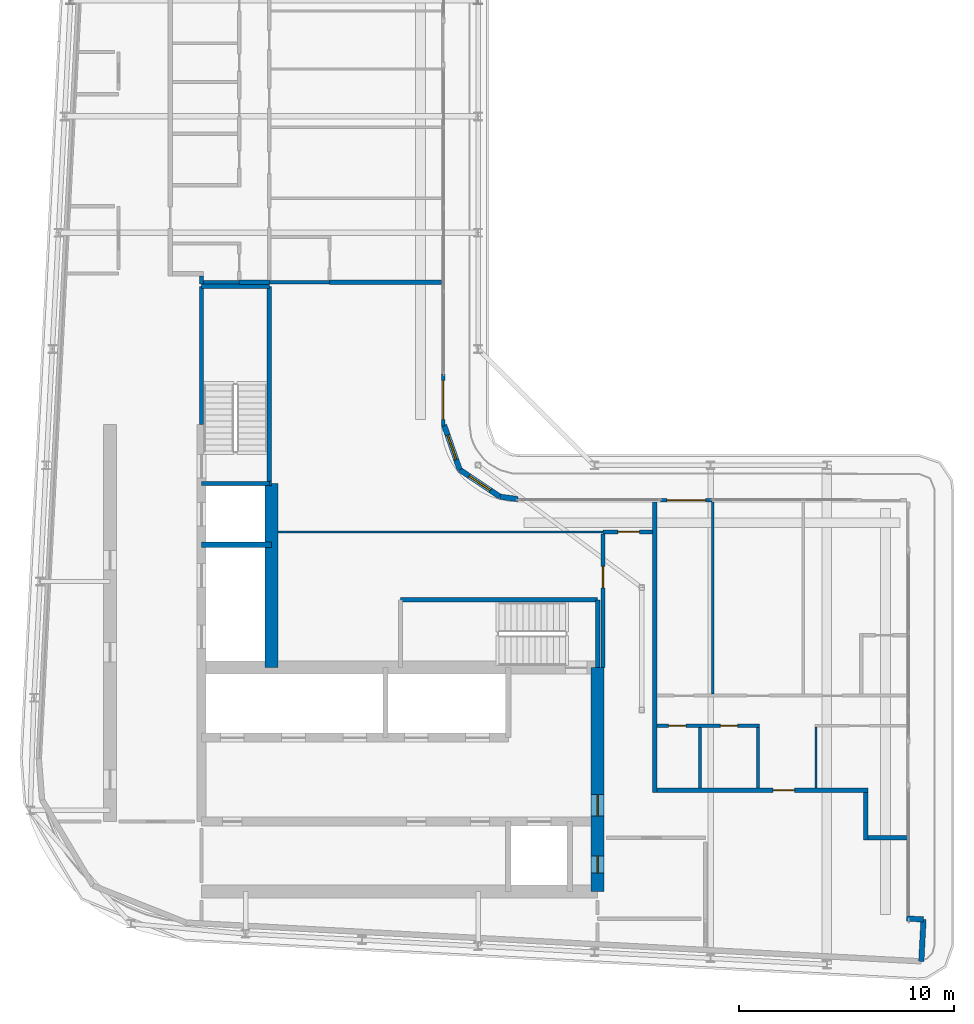
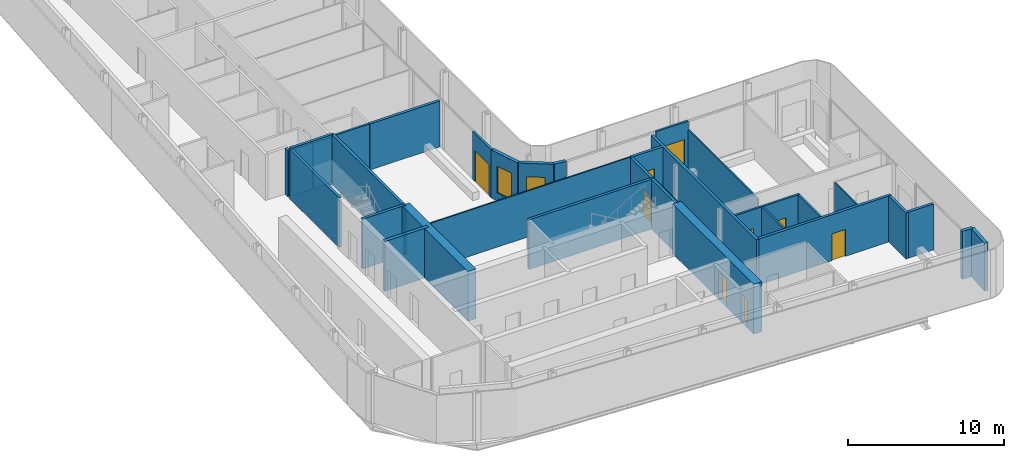
# One storey, part 12 of 21: 34 walls, 9 doors, 2 windows, 11 openings.
"""IFC4 building model written with IfcOpenShell, lengths in metres."""

from ifc_helpers import new_model, si_unit, direction, frame, frame_2d, origin, place, context, subcontext, project, spatial, rectangle, extrude, source, transform, mapped, material, layer, layer_set, type_object, element, fill, save


model = new_model("IFC4")

# Units and contexts
model_context = context("Model", 3, precision=1e-05, world=origin(), true_north=direction((0.0, 1.0)))
body_context = subcontext(model_context, "Body", "Model", "MODEL_VIEW")
ifc_project = project(units=[si_unit("LENGTHUNIT", "METRE"), si_unit("AREAUNIT", "SQUARE_METRE"), si_unit("VOLUMEUNIT", "CUBIC_METRE"), si_unit("PLANEANGLEUNIT", "RADIAN"), si_unit("MASSUNIT", "GRAM", prefix="KILO")], contexts=[model_context])

# Site, building, storey
site_placement = place(None, origin())
site = spatial("IfcSite", under=ifc_project, at=site_placement, CompositionType="ELEMENT")
building_placement = place(site_placement, origin())
building = spatial("IfcBuilding", under=site, at=building_placement, Name="Kheshtan School and Residences Tower", CompositionType="ELEMENT")
storey_placement = place(building_placement, frame((0.0, 0.0, 309.800048828125)))
storey = spatial("IfcBuildingStorey", under=building, at=storey_placement, Name="L73", CompositionType="ELEMENT", Elevation=309.800048828125)

# Wall
ifc_material_1 = material(Name="Concrete C60/75", Category="concrete")
ifc_layer_1 = layer(ifc_material_1, 0.60009765625)
ifc_layer_set_1 = layer_set([ifc_layer_1], Name="Core wall 600 Concrete C60/75")
wall_type_1 = type_object("IfcWallType", Name="Core wall 600 Concrete C60/75", PredefinedType="SHEAR", material=ifc_layer_set_1)
wall_1_placement = place(storey_placement, frame((38.0, 36.199951171875, 0.0), z_axis=(0.0, 0.0, 1.0), x_axis=(0.0, 1.0, 0.0)))
element("IfcWall", 1, at=wall_1_placement, inside=storey, type_object=wall_type_1, Name="Core wall CW-FRONT-W", PredefinedType="SHEAR", context=body_context, shape_type="SweptSolid", body=[
    extrude(rectangle(XDim=8.550048828125, YDim=0.60009765625, at=frame_2d((4.27490234375, 0.0))), origin(), (0.0, 0.0, 1.0), 3.89990234375),
])

# Wall, openings, doors
wall_2_placement = place(storey_placement, frame((53.14990234375, 25.800048828125, 0.0), z_axis=(0.0, 0.0, 1.0), x_axis=(0.0, 1.0, 0.0)))
wall_2 = element("IfcWall", 2, at=wall_2_placement, inside=storey, type_object=wall_type_1, Name="Core wall CW-EAST", PredefinedType="SHEAR", context=body_context, shape_type="SweptSolid", body=[
    extrude(rectangle(XDim=10.39990234375, YDim=0.60009765625, at=frame_2d((5.199951171875, 0.0))), origin(), (0.0, 0.0, 1.0), 3.89990234375),
])
opening_1_placement = place(wall_2_placement, frame((0.85009765625, 0.0, 0.0)))
opening_1 = element("IfcOpeningElement", 3, at=opening_1_placement, cuts=wall_2, Name="Opening SR80", PredefinedType="OPENING", context=body_context, shape_type="SweptSolid", body=[
    extrude(rectangle(XDim=0.800048828125, YDim=2.199951171875, at=frame_2d((0.39990234375, 1.10009765625))), frame((0.0, 0.31005859375, 0.0), z_axis=(0.0, -1.0, 0.0), x_axis=(1.0, 0.0, 0.0)), (0.0, 0.0, 1.0), 0.6201171875),
])
opening_2_placement = place(wall_2_placement, frame((3.5, 0.0, 0.0)))
opening_2 = element("IfcOpeningElement", 4, at=opening_2_placement, cuts=wall_2, Name="Opening SD91", PredefinedType="OPENING", context=body_context, shape_type="SweptSolid", body=[
    extrude(rectangle(XDim=1.0, YDim=2.199951171875, at=frame_2d((0.5, 1.10009765625))), frame((0.0, 0.31005859375, 0.0), z_axis=(0.0, -1.0, 0.0), x_axis=(1.0, 0.0, 0.0)), (0.0, 0.0, 1.0), 0.6201171875),
])
ifc_material_2 = material(Name="Steel door leaf, galvanised", Category="steel")
door_type_1 = type_object("IfcDoorType", Name="Service room door 800 steel 90 min", OperationType="SINGLE_SWING_LEFT", PredefinedType="DOOR", material=ifc_material_2)
shared_shape_1 = source(origin(), body_context, "Body", "SweptSolid", [
    extrude(rectangle(XDim=0.800048828125, YDim=2.199951171875, at=frame_2d((0.39990234375, 1.10009765625))), frame((0.0, 0.02490234375, 0.0), z_axis=(0.0, -1.0, 0.0), x_axis=(1.0, 0.0, 0.0)), (0.0, 0.0, 1.0), 0.050048828125),
])
door_1_placement = place(opening_1_placement, origin())
door_1 = element("IfcDoor", 5, at=door_1_placement, inside=storey, type_object=door_type_1, Name="Service room door", OperationType="SINGLE_SWING_LEFT", OverallHeight=2.199951171875, OverallWidth=0.800048828125, PredefinedType="DOOR", context=body_context, shape_type="MappedRepresentation", body=[
    mapped(shared_shape_1, transform((0.0, 0.0, 0.0), x_axis=(1.0, 0.0, 0.0), y_axis=(0.0, 1.0, 0.0), z_axis=(0.0, 0.0, 1.0), scale=1.0)),
])
fill(opening_1, door_1)
door_type_2 = type_object("IfcDoorType", Name="Firefighting lobby door 1000 steel 90 min", OperationType="SINGLE_SWING_LEFT", PredefinedType="DOOR", material=ifc_material_2)
shared_shape_2 = source(origin(), body_context, "Body", "SweptSolid", [
    extrude(rectangle(XDim=1.0, YDim=2.199951171875, at=frame_2d((0.5, 1.10009765625))), frame((0.0, 0.02490234375, 0.0), z_axis=(0.0, -1.0, 0.0), x_axis=(1.0, 0.0, 0.0)), (0.0, 0.0, 1.0), 0.050048828125),
])
door_2_placement = place(opening_2_placement, origin())
door_2 = element("IfcDoor", 6, at=door_2_placement, inside=storey, type_object=door_type_2, Name="Firefighting lobby door", OperationType="SINGLE_SWING_LEFT", OverallHeight=2.199951171875, OverallWidth=1.0, PredefinedType="DOOR", context=body_context, shape_type="MappedRepresentation", body=[
    mapped(shared_shape_2, transform((0.0, 0.0, 0.0), x_axis=(1.0, 0.0, 0.0), y_axis=(0.0, 1.0, 0.0), z_axis=(0.0, 0.0, 1.0), scale=1.0)),
])
fill(opening_2, door_2)

# Wall
ifc_material_3 = material(Name="Gypsum board on steel studs with fire boards", Category="steel")
ifc_layer_2 = layer(ifc_material_3, 0.199951171875)
ifc_layer_set_2 = layer_set([ifc_layer_2], Name="Corridor wall 200")
wall_type_2 = type_object("IfcWallType", Name="Corridor wall 200", PredefinedType="PARTITIONING", material=ifc_layer_set_2)
wall_3_placement = place(storey_placement, frame((34.75, 54.02490234375, 0.0), z_axis=(0.0, 0.0, 1.0), x_axis=(0.0, 1.0, 0.0)))
element("IfcWall", 7, at=wall_3_placement, inside=storey, type_object=wall_type_2, Name="Partition L73-018", PredefinedType="PARTITIONING", context=body_context, shape_type="SweptSolid", body=[
    extrude(rectangle(XDim=0.375, YDim=0.199951171875, at=frame_2d((0.1875, 0.0))), origin(), (0.0, 0.0, 1.0), 3.599853515625),
])

# Wall, opening, door
wall_4_placement = place(storey_placement, frame((53.39990234375, 36.198974609375, 0.0), z_axis=(0.0, 0.0, 1.0), x_axis=(0.0, 1.0, 0.0)))
wall_4 = element("IfcWall", 8, at=wall_4_placement, inside=storey, type_object=wall_type_2, Name="Partition L73-043", PredefinedType="PARTITIONING", context=body_context, shape_type="SweptSolid", body=[
    extrude(rectangle(XDim=6.200927734375, YDim=0.199951171875, at=frame_2d((3.1005859375, 0.0))), origin(), (0.0, 0.0, 1.0), 3.599853515625),
])
opening_3_placement = place(wall_4_placement, frame((3.70703125, 0.0, 0.0)))
opening_3 = element("IfcOpeningElement", 9, at=opening_3_placement, cuts=wall_4, Name="Opening D72-037", PredefinedType="OPENING", context=body_context, shape_type="SweptSolid", body=[
    extrude(rectangle(XDim=1.0, YDim=2.10009765625, at=frame_2d((0.5, 1.050048828125))), frame((0.0, 0.10986328125, 0.0), z_axis=(0.0, -1.0, 0.0), x_axis=(1.0, 0.0, 0.0)), (0.0, 0.0, 1.0), 0.219970703125),
])
ifc_material_4 = material(Name="Steel-framed fire-resisting door leaf", Category="steel")
door_type_3 = type_object("IfcDoorType", Name="Fire door FD60 1000 x 2100", OperationType="SINGLE_SWING_LEFT", PredefinedType="DOOR", material=ifc_material_4)
shared_shape_3 = source(origin(), body_context, "Body", "SweptSolid", [
    extrude(rectangle(XDim=1.0, YDim=2.10009765625, at=frame_2d((0.5, 1.050048828125))), frame((0.0, 0.02490234375, 0.0), z_axis=(0.0, -1.0, 0.0), x_axis=(1.0, 0.0, 0.0)), (0.0, 0.0, 1.0), 0.050048828125),
])
door_3_placement = place(opening_3_placement, origin())
door_3 = element("IfcDoor", 10, at=door_3_placement, inside=storey, type_object=door_type_3, Name="Door D72-037", OperationType="SINGLE_SWING_LEFT", OverallHeight=2.10009765625, OverallWidth=1.0, PredefinedType="DOOR", context=body_context, shape_type="MappedRepresentation", body=[
    mapped(shared_shape_3, transform((0.0, 0.0, 0.0), x_axis=(1.0, 0.0, 0.0), y_axis=(0.0, 1.0, 0.0), z_axis=(0.0, 0.0, 1.0), scale=1.0)),
])
fill(opening_3, door_3)

wall_5_placement = place(storey_placement, frame((53.39990234375, 42.5, 0.0), z_axis=(0.0, 0.0, 1.0), x_axis=(1.0, 0.0, 0.0)))
wall_5 = element("IfcWall", 11, at=wall_5_placement, inside=storey, type_object=wall_type_2, Name="Partition L73-044", PredefinedType="PARTITIONING", context=body_context, shape_type="SweptSolid", body=[
    extrude(rectangle(XDim=2.300048828125, YDim=0.199951171875, at=frame_2d((1.14990234375, 0.0))), origin(), (0.0, 0.0, 1.0), 3.599853515625),
])
opening_4_placement = place(wall_5_placement, frame((0.695068359375, 0.0, 0.0)))
opening_4 = element("IfcOpeningElement", 12, at=opening_4_placement, cuts=wall_5, Name="Opening D72-038", PredefinedType="OPENING", context=body_context, shape_type="SweptSolid", body=[
    extrude(rectangle(XDim=1.0, YDim=2.10009765625, at=frame_2d((0.5, 1.050048828125))), frame((0.0, 0.10986328125, 0.0), z_axis=(0.0, -1.0, 0.0), x_axis=(1.0, 0.0, 0.0)), (0.0, 0.0, 1.0), 0.219970703125),
])
door_4_placement = place(opening_4_placement, origin())
door_4 = element("IfcDoor", 13, at=door_4_placement, inside=storey, type_object=door_type_3, Name="Door D72-038", OperationType="SINGLE_SWING_RIGHT", OverallHeight=2.10009765625, OverallWidth=1.0, PredefinedType="DOOR", context=body_context, shape_type="MappedRepresentation", body=[
    mapped(shared_shape_3, transform((0.0, 0.0, 0.0), x_axis=(1.0, 0.0, 0.0), y_axis=(0.0, 1.0, 0.0), z_axis=(0.0, 0.0, 1.0), scale=1.0)),
])
fill(opening_4, door_4)

wall_6_placement = place(storey_placement, frame((55.89990234375, 30.5, 0.0), z_axis=(0.0, 0.0, 1.0), x_axis=(1.0, 0.0, 0.0)))
wall_6 = element("IfcWall", 14, at=wall_6_placement, inside=storey, type_object=wall_type_2, Name="Partition L73-046", PredefinedType="PARTITIONING", context=body_context, shape_type="SweptSolid", body=[
    extrude(rectangle(XDim=9.800048828125, YDim=0.199951171875, at=frame_2d((4.89990234375, 0.0))), origin(), (0.0, 0.0, 1.0), 3.599853515625),
])
opening_5_placement = place(wall_6_placement, frame((5.39990234375, 0.0, 0.0)))
opening_5 = element("IfcOpeningElement", 15, at=opening_5_placement, cuts=wall_6, Name="Opening D72-004", PredefinedType="OPENING", context=body_context, shape_type="SweptSolid", body=[
    extrude(rectangle(XDim=1.0, YDim=2.10009765625, at=frame_2d((0.5, 1.050048828125))), frame((0.0, 0.10986328125, 0.0), z_axis=(0.0, -1.0, 0.0), x_axis=(1.0, 0.0, 0.0)), (0.0, 0.0, 1.0), 0.219970703125),
])
door_type_4 = type_object("IfcDoorType", Name="Fire door FD30S 1000 x 2100", OperationType="SINGLE_SWING_LEFT", PredefinedType="DOOR", material=ifc_material_4)
shared_shape_4 = source(origin(), body_context, "Body", "SweptSolid", [
    extrude(rectangle(XDim=1.0, YDim=2.10009765625, at=frame_2d((0.5, 1.050048828125))), frame((0.0, 0.02490234375, 0.0), z_axis=(0.0, -1.0, 0.0), x_axis=(1.0, 0.0, 0.0)), (0.0, 0.0, 1.0), 0.050048828125),
])
door_5_placement = place(opening_5_placement, origin())
door_5 = element("IfcDoor", 16, at=door_5_placement, inside=storey, type_object=door_type_4, Name="Door D72-004", OperationType="SINGLE_SWING_LEFT", OverallHeight=2.10009765625, OverallWidth=1.0, PredefinedType="DOOR", context=body_context, shape_type="MappedRepresentation", body=[
    mapped(shared_shape_4, transform((0.0, 0.0, 0.0), x_axis=(1.0, 0.0, 0.0), y_axis=(0.0, 1.0, 0.0), z_axis=(0.0, 0.0, 1.0), scale=1.0)),
])
fill(opening_5, door_5)

# Walls
wall_7_placement = place(storey_placement, frame((65.60009765625, 28.199951171875, 0.0), z_axis=(0.0, 0.0, 1.0), x_axis=(0.0, 1.0, 0.0)))
element("IfcWall", 17, at=wall_7_placement, inside=storey, type_object=wall_type_2, Name="Partition L73-057", PredefinedType="PARTITIONING", context=body_context, shape_type="SweptSolid", body=[
    extrude(rectangle(XDim=2.199951171875, YDim=0.199951171875, at=frame_2d((1.10009765625, 0.0))), origin(), (0.0, 0.0, 1.0), 3.599853515625),
])
wall_8_placement = place(storey_placement, frame((65.699951171875, 28.300048828125, 0.0), z_axis=(0.0, 0.0, 1.0), x_axis=(1.0, 0.0, 0.0)))
element("IfcWall", 18, at=wall_8_placement, inside=storey, type_object=wall_type_2, Name="Partition L73-058", PredefinedType="PARTITIONING", context=body_context, shape_type="SweptSolid", body=[
    extrude(rectangle(XDim=1.8701171875, YDim=0.199951171875, at=frame_2d((0.93505859375, 0.0))), origin(), (0.0, 0.0, 1.0), 3.599853515625),
])

# Wall, opening, window
ifc_material_5 = material(Name="Concrete C40/50 with ceramic cladding and mineral wool insulation", Category="concrete")
ifc_layer_3 = layer(ifc_material_5, 0.25)
ifc_layer_set_3 = layer_set([ifc_layer_3], Name="External wall 250 ceramic clad")
wall_type_3 = type_object("IfcWallType", Name="External wall 250 ceramic clad", PredefinedType="SOLIDWALL", material=ifc_layer_set_3)
wall_9_placement = place(storey_placement, frame((46.01806640625, 47.470947265625, 0.0), z_axis=(0.0, 0.0, 1.0), x_axis=(0.328791208903, -0.944402637093, 0.0)))
wall_9 = element("IfcWall", 19, at=wall_9_placement, inside=storey, type_object=wall_type_3, Name="External wall L73 9", PredefinedType="SOLIDWALL", context=body_context, shape_type="SweptSolid", body=[
    extrude(rectangle(XDim=2.20458984375, YDim=0.25, at=frame_2d((1.102294921875, 0.0))), origin(), (0.0, 0.0, 1.0), 3.75),
])
opening_6_placement = place(wall_9_placement, frame((0.5029296875, 0.0, 0.60009765625)))
opening_6 = element("IfcOpeningElement", 20, at=opening_6_placement, cuts=wall_9, Name="Opening WN-E", PredefinedType="OPENING", context=body_context, shape_type="SweptSolid", body=[
    extrude(rectangle(XDim=1.199951171875, YDim=2.10009765625, at=frame_2d((0.60009765625, 1.050048828125))), frame((0.0, 0.135009765625, 0.0), z_axis=(0.0, -1.0, 0.0), x_axis=(1.0, 0.0, 0.0)), (0.0, 0.0, 1.0), 0.27001953125),
])
ifc_material_6 = material(Name="Clear low-e glass in thermally broken aluminium frame", Category="aluminium")
window_type = type_object("IfcWindowType", Name="Window WN-E", PartitioningType="SINGLE_PANEL", PredefinedType="WINDOW", material=ifc_material_6)
shared_shape_5 = source(origin(), body_context, "Body", "SweptSolid", [
    extrude(rectangle(XDim=1.199951171875, YDim=2.10009765625, at=frame_2d((0.60009765625, 1.050048828125))), frame((0.0, 0.030029296875, 0.0), z_axis=(0.0, -1.0, 0.0), x_axis=(1.0, 0.0, 0.0)), (0.0, 0.0, 1.0), 0.06005859375),
])
window_1_placement = place(opening_6_placement, origin())
window_1 = element("IfcWindow", 21, at=window_1_placement, inside=storey, type_object=window_type, Name="Window L73 9", OverallHeight=2.10009765625, OverallWidth=1.199951171875, PartitioningType="SINGLE_PANEL", PredefinedType="WINDOW", context=body_context, shape_type="MappedRepresentation", body=[
    mapped(shared_shape_5, transform((0.0, 0.0, 0.0), x_axis=(1.0, 0.0, 0.0), y_axis=(0.0, 1.0, 0.0), z_axis=(0.0, 0.0, 1.0), scale=1.0)),
])
fill(opening_6, window_1)

wall_10_placement = place(storey_placement, frame((46.742919921875, 45.388916015625, 0.0), z_axis=(0.0, 0.0, 1.0), x_axis=(0.831449265529, -0.555600682912, 0.0)))
wall_10 = element("IfcWall", 22, at=wall_10_placement, inside=storey, type_object=wall_type_3, Name="External wall L73 10", PredefinedType="SOLIDWALL", context=body_context, shape_type="SweptSolid", body=[
    extrude(rectangle(XDim=2.25146484375, YDim=0.25, at=frame_2d((1.125732421875, 0.0))), origin(), (0.0, 0.0, 1.0), 3.75),
])
opening_7_placement = place(wall_10_placement, frame((0.52490234375, 0.0, 0.60009765625)))
opening_7 = element("IfcOpeningElement", 23, at=opening_7_placement, cuts=wall_10, Name="Opening WN-E", PredefinedType="OPENING", context=body_context, shape_type="SweptSolid", body=[
    extrude(rectangle(XDim=1.199951171875, YDim=2.10009765625, at=frame_2d((0.60009765625, 1.050048828125))), frame((0.0, 0.135009765625, 0.0), z_axis=(0.0, -1.0, 0.0), x_axis=(1.0, 0.0, 0.0)), (0.0, 0.0, 1.0), 0.27001953125),
])
window_2_placement = place(opening_7_placement, origin())
window_2 = element("IfcWindow", 24, at=window_2_placement, inside=storey, type_object=window_type, Name="Window L73 10", OverallHeight=2.10009765625, OverallWidth=1.199951171875, PartitioningType="SINGLE_PANEL", PredefinedType="WINDOW", context=body_context, shape_type="MappedRepresentation", body=[
    mapped(shared_shape_5, transform((0.0, 0.0, 0.0), x_axis=(1.0, 0.0, 0.0), y_axis=(0.0, 1.0, 0.0), z_axis=(0.0, 0.0, 1.0), scale=1.0)),
])
fill(opening_7, window_2)

# Walls
wall_11_placement = place(storey_placement, frame((48.614990234375, 44.137939453125, 0.0), z_axis=(0.0, 0.0, 1.0), x_axis=(0.990741504246, -0.135761819977, 0.0)))
element("IfcWall", 25, at=wall_11_placement, inside=storey, type_object=wall_type_3, Name="External wall L73 11", PredefinedType="SOLIDWALL", context=body_context, shape_type="SweptSolid", body=[
    extrude(rectangle(XDim=0.83984375, YDim=0.25, at=frame_2d((0.419921875, 0.0))), origin(), (0.0, 0.0, 1.0), 3.75),
])
wall_12_placement = place(storey_placement, frame((67.507080078125, 24.5439453125, 0.0), z_axis=(0.0, 0.0, 1.0), x_axis=(0.998561284263, -0.053622398031, 0.0)))
element("IfcWall", 26, at=wall_12_placement, inside=storey, type_object=wall_type_3, Name="External wall L73 14", PredefinedType="SOLIDWALL", context=body_context, shape_type="SweptSolid", body=[
    extrude(rectangle(XDim=0.783203125, YDim=0.25, at=frame_2d((0.3916015625, 0.0))), origin(), (0.0, 0.0, 1.0), 3.75),
])
wall_13_placement = place(storey_placement, frame((68.2890625, 24.501953125, 0.0), z_axis=(0.0, 0.0, 1.0), x_axis=(-0.052841433274, -0.998602915542, 0.0)))
element("IfcWall", 27, at=wall_13_placement, inside=storey, type_object=wall_type_3, Name="External wall L73 15", PredefinedType="SOLIDWALL", context=body_context, shape_type="SweptSolid", body=[
    extrude(rectangle(XDim=1.94970703125, YDim=0.25, at=frame_2d((0.974853515625, 0.0))), origin(), (0.0, 0.0, 1.0), 3.75),
])

# Wall, opening, door
ifc_material_7 = material(Name="Aluminium frame wall with insulated infill", Category="aluminium")
ifc_layer_4 = layer(ifc_material_7, 0.14990234375)
ifc_layer_set_4 = layer_set([ifc_layer_4], Name="Glazing frame wall 150")
wall_type_4 = type_object("IfcWallType", Name="Glazing frame wall 150", PredefinedType="SOLIDWALL", material=ifc_layer_set_4)
wall_14_placement = place(storey_placement, frame((45.97509765625, 49.830078125, 0.0), z_axis=(0.0, 0.0, 1.0), x_axis=(0.0, -1.0, 0.0)))
wall_14 = element("IfcWall", 28, at=wall_14_placement, inside=storey, type_object=wall_type_4, Name="Balcony door wall L73 8.5", PredefinedType="SOLIDWALL", context=body_context, shape_type="SweptSolid", body=[
    extrude(rectangle(XDim=2.400146484375, YDim=0.14990234375, at=frame_2d((1.2001953125, 0.0))), origin(), (0.0, 0.0, 1.0), 3.75),
])
opening_8_placement = place(wall_14_placement, frame((0.300048828125, 0.0, 0.0)))
opening_8 = element("IfcOpeningElement", 29, at=opening_8_placement, cuts=wall_14, Name="Opening BD", PredefinedType="OPENING", context=body_context, shape_type="SweptSolid", body=[
    extrude(rectangle(XDim=1.800048828125, YDim=2.39990234375, at=frame_2d((0.89990234375, 1.199951171875))), frame((0.0, 0.0849609375, 0.0), z_axis=(0.0, -1.0, 0.0), x_axis=(1.0, 0.0, 0.0)), (0.0, 0.0, 1.0), 0.169921875),
])
door_type_5 = type_object("IfcDoorType", Name="Balcony sliding door", OperationType="SLIDING_TO_LEFT", PredefinedType="DOOR", material=ifc_material_6)
shared_shape_6 = source(origin(), body_context, "Body", "SweptSolid", [
    extrude(rectangle(XDim=1.800048828125, YDim=2.39990234375, at=frame_2d((0.89990234375, 1.199951171875))), frame((0.0, 0.02490234375, 0.0), z_axis=(0.0, -1.0, 0.0), x_axis=(1.0, 0.0, 0.0)), (0.0, 0.0, 1.0), 0.050048828125),
])
door_6_placement = place(opening_8_placement, origin())
door_6 = element("IfcDoor", 30, at=door_6_placement, inside=storey, type_object=door_type_5, Name="Balcony door L73 8.5", OperationType="SLIDING_TO_LEFT", OverallHeight=2.39990234375, OverallWidth=1.800048828125, PredefinedType="DOOR", context=body_context, shape_type="MappedRepresentation", body=[
    mapped(shared_shape_6, transform((0.0, 0.0, 0.0), x_axis=(1.0, 0.0, 0.0), y_axis=(0.0, 1.0, 0.0), z_axis=(0.0, 0.0, 1.0), scale=1.0)),
])
fill(opening_8, door_6)

wall_15_placement = place(storey_placement, frame((56.06494140625, 43.97509765625, 0.0), z_axis=(0.0, 0.0, 1.0), x_axis=(1.0, 0.0, 0.0)))
wall_15 = element("IfcWall", 31, at=wall_15_placement, inside=storey, type_object=wall_type_4, Name="Balcony door wall L73 12.1", PredefinedType="SOLIDWALL", context=body_context, shape_type="SweptSolid", body=[
    extrude(rectangle(XDim=2.400146484375, YDim=0.14990234375, at=frame_2d((1.2001953125, 0.0))), origin(), (0.0, 0.0, 1.0), 3.75),
])
opening_9_placement = place(wall_15_placement, frame((0.300048828125, 0.0, 0.0)))
opening_9 = element("IfcOpeningElement", 32, at=opening_9_placement, cuts=wall_15, Name="Opening BD", PredefinedType="OPENING", context=body_context, shape_type="SweptSolid", body=[
    extrude(rectangle(XDim=1.800048828125, YDim=2.39990234375, at=frame_2d((0.89990234375, 1.199951171875))), frame((0.0, 0.0849609375, 0.0), z_axis=(0.0, -1.0, 0.0), x_axis=(1.0, 0.0, 0.0)), (0.0, 0.0, 1.0), 0.169921875),
])
door_7_placement = place(opening_9_placement, origin())
door_7 = element("IfcDoor", 33, at=door_7_placement, inside=storey, type_object=door_type_5, Name="Balcony door L73 12.1", OperationType="SLIDING_TO_LEFT", OverallHeight=2.39990234375, OverallWidth=1.800048828125, PredefinedType="DOOR", context=body_context, shape_type="MappedRepresentation", body=[
    mapped(shared_shape_6, transform((0.0, 0.0, 0.0), x_axis=(1.0, 0.0, 0.0), y_axis=(0.0, 1.0, 0.0), z_axis=(0.0, 0.0, 1.0), scale=1.0)),
])
fill(opening_9, door_7)

# Walls
ifc_material_8 = material(Name="Gypsum board on steel studs", Category="steel")
ifc_layer_5 = layer(ifc_material_8, 0.10009765625)
ifc_layer_set_5 = layer_set([ifc_layer_5], Name="Gypsum partition 100")
wall_type_5 = type_object("IfcWallType", Name="Gypsum partition 100", PredefinedType="PARTITIONING", material=ifc_layer_set_5)
wall_16_placement = place(storey_placement, frame((38.299072265625, 42.5, 0.0), z_axis=(0.0, 0.0, 1.0), x_axis=(1.0, 0.0, 0.0)))
element("IfcWall", 34, at=wall_16_placement, inside=storey, type_object=wall_type_5, Name="Partition L73-040", PredefinedType="PARTITIONING", context=body_context, shape_type="SweptSolid", body=[
    extrude(rectangle(XDim=15.100830078125, YDim=0.10009765625, at=frame_2d((7.55029296875, 0.0))), origin(), (0.0, 0.0, 1.0), 3.599853515625),
])
wall_17_placement = place(storey_placement, frame((58.5, 34.97509765625, 0.0), z_axis=(0.0, 0.0, 1.0), x_axis=(0.0, 1.0, 0.0)))
element("IfcWall", 35, at=wall_17_placement, inside=storey, type_object=wall_type_5, Name="Partition L73-050", PredefinedType="PARTITIONING", context=body_context, shape_type="SweptSolid", body=[
    extrude(rectangle(XDim=8.9248046875, YDim=0.10009765625, at=frame_2d((4.46240234375, 0.0))), origin(), (0.0, 0.0, 1.0), 3.072021484375),
])
wall_18_placement = place(storey_placement, frame((63.300048828125, 30.60009765625, 0.0), z_axis=(0.0, 0.0, 1.0), x_axis=(0.0, 1.0, 0.0)))
element("IfcWall", 36, at=wall_18_placement, inside=storey, type_object=wall_type_5, Name="Partition L73-054", PredefinedType="PARTITIONING", context=body_context, shape_type="SweptSolid", body=[
    extrude(rectangle(XDim=2.849853515625, YDim=0.10009765625, at=frame_2d((1.4248046875, 0.0))), origin(), (0.0, 0.0, 1.0), 3.599853515625),
])
ifc_material_9 = material(Name="Fire-board shaft wall system")
ifc_layer_6 = layer(ifc_material_9, 0.25)
ifc_layer_set_6 = layer_set([ifc_layer_6], Name="Shaft lining wall 250")
wall_type_6 = type_object("IfcWallType", Name="Shaft lining wall 250", PredefinedType="PARTITIONING", material=ifc_layer_set_6)
wall_19_placement = place(storey_placement, frame((34.75, 41.89990234375, 0.0), z_axis=(0.0, 0.0, 1.0), x_axis=(1.0, 0.0, 0.0)))
element("IfcWall", 37, at=wall_19_placement, inside=storey, type_object=wall_type_6, Name="Shaft lining wall", PredefinedType="PARTITIONING", context=body_context, shape_type="SweptSolid", body=[
    extrude(rectangle(XDim=3.25, YDim=0.25, at=frame_2d((1.625, 0.0))), origin(), (0.0, 0.0, 1.0), 3.89990234375),
])
wall_20_placement = place(storey_placement, frame((37.89990234375, 44.75, 0.0), z_axis=(0.0, 0.0, 1.0), x_axis=(1.0, 0.0, 0.0)))
element("IfcWall", 38, at=wall_20_placement, inside=storey, type_object=wall_type_6, Name="Shaft lining wall", PredefinedType="PARTITIONING", context=body_context, shape_type="SweptSolid", body=[
    extrude(rectangle(XDim=0.10009765625, YDim=0.25, at=frame_2d((0.050048828125, 0.0))), origin(), (0.0, 0.0, 1.0), 3.89990234375),
])
ifc_material_10 = material(Name="Concrete C40/50", Category="concrete")
ifc_layer_7 = layer(ifc_material_10, 0.199951171875)
ifc_layer_set_7 = layer_set([ifc_layer_7], Name="Stair enclosure wall 200 Concrete C40/50")
wall_type_7 = type_object("IfcWallType", Name="Stair enclosure wall 200 Concrete C40/50", PredefinedType="SHEAR", material=ifc_layer_set_7)
wall_21_placement = place(storey_placement, frame((43.989990234375, 39.35009765625, 0.0), z_axis=(0.0, 0.0, 1.0), x_axis=(1.0, 0.0, 0.0)))
element("IfcWall", 39, at=wall_21_placement, inside=storey, type_object=wall_type_7, Name="Stair enclosure wall ST1", PredefinedType="SHEAR", context=body_context, shape_type="SweptSolid", body=[
    extrude(rectangle(XDim=9.159912109375, YDim=0.199951171875, at=frame_2d((4.580078125, 0.0))), origin(), (0.0, 0.0, 1.0), 3.89990234375),
])
wall_22_placement = place(storey_placement, frame((53.14990234375, 36.199951171875, 0.0), z_axis=(0.0, 0.0, 1.0), x_axis=(0.0, 1.0, 0.0)))
element("IfcWall", 40, at=wall_22_placement, inside=storey, type_object=wall_type_7, Name="Stair enclosure wall ST1", PredefinedType="SHEAR", context=body_context, shape_type="SweptSolid", body=[
    extrude(rectangle(XDim=3.150146484375, YDim=0.199951171875, at=frame_2d((1.5751953125, 0.0))), origin(), (0.0, 0.0, 1.0), 3.89990234375),
])
for number, where, z_axis, x_axis, name in (
    (41, (34.75, 44.75, 0.0), (0.0, 0.0, 1.0), (1.0, 0.0, 0.0), "Stair enclosure wall ST2"),
    (42, (34.75, 53.909912109375, 0.0), (0.0, 0.0, 1.0), (1.0, 0.0, 0.0), "Stair enclosure wall ST2"),
):
    element("IfcWall", number, at=place(storey_placement, frame(where, z_axis=z_axis, x_axis=x_axis)), inside=storey, type_object=wall_type_7, Name=name, PredefinedType="SHEAR", context=body_context, shape_type="SweptSolid", body=[
        extrude(rectangle(XDim=3.14990234375, YDim=0.199951171875, at=frame_2d((1.574951171875, 0.0))), origin(), (0.0, 0.0, 1.0), 3.89990234375),
    ])
wall_23_placement = place(storey_placement, frame((34.75, 47.5, 0.0), z_axis=(0.0, 0.0, 1.0), x_axis=(0.0, 1.0, 0.0)))
element("IfcWall", 43, at=wall_23_placement, inside=storey, type_object=wall_type_7, Name="Stair enclosure wall ST2", PredefinedType="SHEAR", context=body_context, shape_type="SweptSolid", body=[
    extrude(rectangle(XDim=6.409912109375, YDim=0.199951171875, at=frame_2d((3.205078125, 0.0))), origin(), (0.0, 0.0, 1.0), 3.89990234375),
])
wall_24_placement = place(storey_placement, frame((37.89990234375, 44.75, 0.0), z_axis=(0.0, 0.0, 1.0), x_axis=(0.0, 1.0, 0.0)))
element("IfcWall", 44, at=wall_24_placement, inside=storey, type_object=wall_type_7, Name="Stair enclosure wall ST2", PredefinedType="SHEAR", context=body_context, shape_type="SweptSolid", body=[
    extrude(rectangle(XDim=9.159912109375, YDim=0.199951171875, at=frame_2d((4.580078125, 0.0))), origin(), (0.0, 0.0, 1.0), 3.89990234375),
])
ifc_material_11 = material(Name="Twin gypsum board on steel studs with mineral wool", Category="steel")
ifc_layer_8 = layer(ifc_material_11, 0.199951171875)
ifc_layer_set_8 = layer_set([ifc_layer_8], Name="Unit demising wall 200")
wall_type_8 = type_object("IfcWallType", Name="Unit demising wall 200", PredefinedType="PARTITIONING", material=ifc_layer_set_8)
wall_25_placement = place(storey_placement, frame((36.5, 54.10009765625, 0.0), z_axis=(0.0, 0.0, 1.0), x_axis=(1.0, 0.0, 0.0)))
element("IfcWall", 45, at=wall_25_placement, inside=storey, type_object=wall_type_8, Name="Partition L73-020", PredefinedType="PARTITIONING", context=body_context, shape_type="SweptSolid", body=[
    extrude(rectangle(XDim=1.39990234375, YDim=0.199951171875, at=frame_2d((0.699951171875, 0.0))), origin(), (0.0, 0.0, 1.0), 3.599853515625),
])
wall_26_placement = place(storey_placement, frame((40.699951171875, 54.10009765625, 0.0), z_axis=(0.0, 0.0, 1.0), x_axis=(1.0, 0.0, 0.0)))
element("IfcWall", 46, at=wall_26_placement, inside=storey, type_object=wall_type_8, Name="Partition L73-041", PredefinedType="PARTITIONING", context=body_context, shape_type="SweptSolid", body=[
    extrude(rectangle(XDim=5.199951171875, YDim=0.199951171875, at=frame_2d((2.60009765625, 0.0))), origin(), (0.0, 0.0, 1.0), 3.599853515625),
])
wall_27_placement = place(storey_placement, frame((55.800048828125, 30.39990234375, 0.0), z_axis=(0.0, 0.0, 1.0), x_axis=(0.0, 1.0, 0.0)))
element("IfcWall", 47, at=wall_27_placement, inside=storey, type_object=wall_type_8, Name="Partition L73-045", PredefinedType="PARTITIONING", context=body_context, shape_type="SweptSolid", body=[
    extrude(rectangle(XDim=13.5, YDim=0.199951171875, at=frame_2d((6.75, 0.0))), origin(), (0.0, 0.0, 1.0), 3.599853515625),
])
ifc_material_12 = material(Name="Moisture-resistant gypsum board on steel studs", Category="steel")
ifc_layer_9 = layer(ifc_material_12, 0.14990234375)
ifc_layer_set_9 = layer_set([ifc_layer_9], Name="Wet-room partition 150")
wall_type_9 = type_object("IfcWallType", Name="Wet-room partition 150", PredefinedType="PARTITIONING", material=ifc_layer_set_9)
wall_28_placement = place(storey_placement, frame((34.85009765625, 54.10009765625, 0.0), z_axis=(0.0, 0.0, 1.0), x_axis=(1.0, 0.0, 0.0)))
element("IfcWall", 48, at=wall_28_placement, inside=storey, type_object=wall_type_9, Name="Partition L73-019", PredefinedType="PARTITIONING", context=body_context, shape_type="SweptSolid", body=[
    extrude(rectangle(XDim=1.64990234375, YDim=0.14990234375, at=frame_2d((0.824951171875, 0.0))), origin(), (0.0, 0.0, 1.0), 3.599853515625),
])
wall_29_placement = place(storey_placement, frame((37.89990234375, 54.10009765625, 0.0), z_axis=(0.0, 0.0, 1.0), x_axis=(1.0, 0.0, 0.0)))
element("IfcWall", 49, at=wall_29_placement, inside=storey, type_object=wall_type_9, Name="Partition L73-029", PredefinedType="PARTITIONING", context=body_context, shape_type="SweptSolid", body=[
    extrude(rectangle(XDim=2.800048828125, YDim=0.14990234375, at=frame_2d((1.39990234375, 0.0))), origin(), (0.0, 0.0, 1.0), 3.599853515625),
])

# Wall, openings, doors
wall_30_placement = place(storey_placement, frame((55.89990234375, 33.5, 0.0), z_axis=(0.0, 0.0, 1.0), x_axis=(1.0, 0.0, 0.0)))
wall_30 = element("IfcWall", 50, at=wall_30_placement, inside=storey, type_object=wall_type_9, Name="Partition L73-047", PredefinedType="PARTITIONING", context=body_context, shape_type="SweptSolid", body=[
    extrude(rectangle(XDim=4.775146484375, YDim=0.14990234375, at=frame_2d((2.3876953125, 0.0))), origin(), (0.0, 0.0, 1.0), 3.599853515625),
])
opening_10_placement = place(wall_30_placement, frame((2.949951171875, 0.0, 0.0)))
opening_10 = element("IfcOpeningElement", 51, at=opening_10_placement, cuts=wall_30, Name="Opening D72-001", PredefinedType="OPENING", context=body_context, shape_type="SweptSolid", body=[
    extrude(rectangle(XDim=0.800048828125, YDim=2.10009765625, at=frame_2d((0.39990234375, 1.050048828125))), frame((0.0, 0.0849609375, 0.0), z_axis=(0.0, -1.0, 0.0), x_axis=(1.0, 0.0, 0.0)), (0.0, 0.0, 1.0), 0.169921875),
])
opening_11_placement = place(wall_30_placement, frame((0.550048828125, 0.0, 0.0)))
opening_11 = element("IfcOpeningElement", 52, at=opening_11_placement, cuts=wall_30, Name="Opening D72-008", PredefinedType="OPENING", context=body_context, shape_type="SweptSolid", body=[
    extrude(rectangle(XDim=0.800048828125, YDim=2.10009765625, at=frame_2d((0.39990234375, 1.050048828125))), frame((0.0, 0.0849609375, 0.0), z_axis=(0.0, -1.0, 0.0), x_axis=(1.0, 0.0, 0.0)), (0.0, 0.0, 1.0), 0.169921875),
])
ifc_material_13 = material(Name="Veneered timber door leaf", Category="wood")
door_type_6 = type_object("IfcDoorType", Name="Door 800 x 2100", OperationType="SINGLE_SWING_LEFT", PredefinedType="DOOR", material=ifc_material_13)
shared_shape_7 = source(origin(), body_context, "Body", "SweptSolid", [
    extrude(rectangle(XDim=0.800048828125, YDim=2.10009765625, at=frame_2d((0.39990234375, 1.050048828125))), frame((0.0, 0.02490234375, 0.0), z_axis=(0.0, -1.0, 0.0), x_axis=(1.0, 0.0, 0.0)), (0.0, 0.0, 1.0), 0.050048828125),
])
door_8_placement = place(opening_10_placement, origin())
door_8 = element("IfcDoor", 53, at=door_8_placement, inside=storey, type_object=door_type_6, Name="Door D72-001", OperationType="SINGLE_SWING_LEFT", OverallHeight=2.10009765625, OverallWidth=0.800048828125, PredefinedType="DOOR", context=body_context, shape_type="MappedRepresentation", body=[
    mapped(shared_shape_7, transform((0.0, 0.0, 0.0), x_axis=(1.0, 0.0, 0.0), y_axis=(0.0, 1.0, 0.0), z_axis=(0.0, 0.0, 1.0), scale=1.0)),
])
fill(opening_10, door_8)
door_9_placement = place(opening_11_placement, origin())
door_9 = element("IfcDoor", 54, at=door_9_placement, inside=storey, type_object=door_type_6, Name="Door D72-008", OperationType="SINGLE_SWING_LEFT", OverallHeight=2.10009765625, OverallWidth=0.800048828125, PredefinedType="DOOR", context=body_context, shape_type="MappedRepresentation", body=[
    mapped(shared_shape_7, transform((0.0, 0.0, 0.0), x_axis=(1.0, 0.0, 0.0), y_axis=(0.0, 1.0, 0.0), z_axis=(0.0, 0.0, 1.0), scale=1.0)),
])
fill(opening_11, door_9)

# Walls
for number, where, z_axis, x_axis, name in (
    (55, (57.89990234375, 30.60009765625, 0.0), (0.0, 0.0, 1.0), (0.0, 1.0, 0.0), "Partition L73-049"),
    (56, (60.60009765625, 30.60009765625, 0.0), (0.0, 0.0, 1.0), (0.0, 1.0, 0.0), "Partition L73-051"),
):
    element("IfcWall", number, at=place(storey_placement, frame(where, z_axis=z_axis, x_axis=x_axis)), inside=storey, type_object=wall_type_9, Name=name, PredefinedType="PARTITIONING", context=body_context, shape_type="SweptSolid", body=[
        extrude(rectangle(XDim=2.824951171875, YDim=0.14990234375, at=frame_2d((1.41259765625, 0.0))), origin(), (0.0, 0.0, 1.0), 3.599853515625),
    ])

save(model, "model.ifc")
